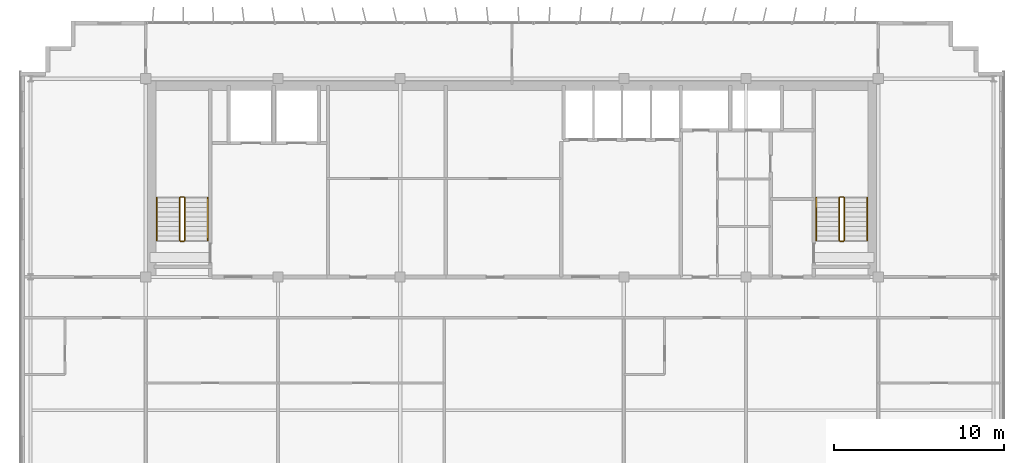
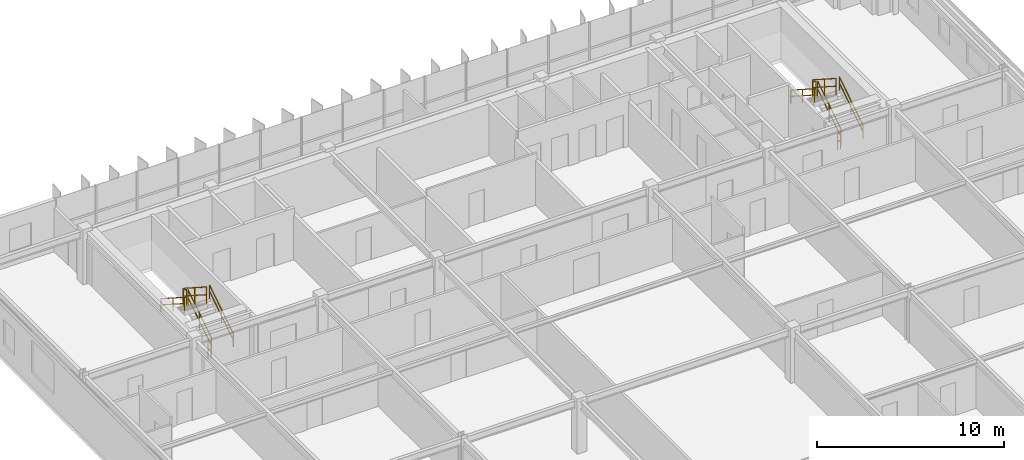
# One storey, part 22 of 22: 12 railings.
"""IFC4 building model written with IfcOpenShell, lengths in metres."""

from ifc_helpers import new_model, si_unit, direction, frame, origin, origin_2d, place, context, subcontext, project, spatial, rectangle, extrude, material, type_object, element, save


model = new_model("IFC4")

# Units and contexts
model_context = context("Model", 3, precision=1e-05, world=origin(), true_north=direction((0.0, 1.0)))
body_context = subcontext(model_context, "Body", "Model", "MODEL_VIEW")
ifc_project = project(units=[si_unit("LENGTHUNIT", "METRE"), si_unit("AREAUNIT", "SQUARE_METRE"), si_unit("VOLUMEUNIT", "CUBIC_METRE"), si_unit("PLANEANGLEUNIT", "RADIAN"), si_unit("MASSUNIT", "GRAM", prefix="KILO")], contexts=[model_context])

# Site, building, storey
site_placement = place(None, origin())
site = spatial("IfcSite", under=ifc_project, at=site_placement, CompositionType="ELEMENT")
building_placement = place(site_placement, origin())
building = spatial("IfcBuilding", under=site, at=building_placement, Name="Trelvane Seafront Commons", CompositionType="ELEMENT")
storey_placement = place(building_placement, frame((0.0, 0.0, 288.300048828125)))
storey = spatial("IfcBuildingStorey", under=building, at=storey_placement, Name="L75", CompositionType="ELEMENT", Elevation=288.300048828125)

# Railings
ifc_material = material(Name="Stainless steel balustrade", Category="steel")
railing_type_1 = type_object("IfcRailingType", Name="ARCH-SRL-GUARD", PredefinedType="GUARDRAIL", material=ifc_material)
railing_1_placement = place(storey_placement, frame((17.89990234375, 35.550048828125, 0.179931640625)))
element("IfcRailing", 1, at=railing_1_placement, inside=storey, type_object=railing_type_1, Name="L75 ST-1 stair guard 1", PredefinedType="GUARDRAIL", context=body_context, shape_type="SweptSolid", body=[
    extrude(rectangle(XDim=0.048095703125, YDim=0.048095703125, at=origin_2d()), frame((0.0, 0.0, 1.076171875), z_axis=(0.0, 0.841162588446, 0.540782303519), x_axis=(-1.0, 0.0, 0.0)), (0.0, 0.0, 1.0), 2.995849609375),
    extrude(rectangle(XDim=0.048095703125, YDim=0.048095703125, at=origin_2d()), frame((0.0, 0.0, 0.572021484375), z_axis=(0.0, 0.841162588446, 0.540782303519), x_axis=(-1.0, 0.0, 0.0)), (0.0, 0.0, 1.0), 2.995849609375),
    extrude(rectangle(XDim=0.0419921875, YDim=0.0419921875, at=origin_2d()), origin(), (0.0, 0.0, 1.0), 1.076171875),
    extrude(rectangle(XDim=0.0419921875, YDim=0.0419921875, at=origin_2d()), frame((0.0, 1.260009765625, 0.81005859375)), (0.0, 0.0, 1.0), 1.076171875),
    extrude(rectangle(XDim=0.0419921875, YDim=0.0419921875, at=origin_2d()), frame((0.0, 2.52001953125, 1.6201171875)), (0.0, 0.0, 1.0), 1.076171875),
])
railing_2_placement = place(storey_placement, frame((17.85009765625, 38.1201171875, 1.800048828125)))
element("IfcRailing", 2, at=railing_2_placement, inside=storey, type_object=railing_type_1, Name="L75 ST-1 stair guard 2", PredefinedType="GUARDRAIL", context=body_context, shape_type="SweptSolid", body=[
    extrude(rectangle(XDim=0.048095703125, YDim=0.048095703125, at=origin_2d()), frame((0.0, 0.0, 1.076171875), z_axis=(-1.0, 0.0, 0.0), x_axis=(0.0, -1.0, 0.0)), (0.0, 0.0, 1.0), 0.2001953125),
    extrude(rectangle(XDim=0.048095703125, YDim=0.048095703125, at=origin_2d()), frame((0.0, 0.0, 0.572021484375), z_axis=(-1.0, 0.0, 0.0), x_axis=(0.0, -1.0, 0.0)), (0.0, 0.0, 1.0), 0.2001953125),
    extrude(rectangle(XDim=0.0419921875, YDim=0.0419921875, at=origin_2d()), origin(), (0.0, 0.0, 1.0), 1.076171875),
    extrude(rectangle(XDim=0.0419921875, YDim=0.0419921875, at=origin_2d()), frame((-0.2001953125, 0.0, 0.0)), (0.0, 0.0, 1.0), 1.076171875),
])
railing_3_placement = place(storey_placement, frame((17.60009765625, 38.070068359375, 1.97998046875)))
element("IfcRailing", 3, at=railing_3_placement, inside=storey, type_object=railing_type_1, Name="L75 ST-1 stair guard 3", PredefinedType="GUARDRAIL", context=body_context, shape_type="SweptSolid", body=[
    extrude(rectangle(XDim=0.048095703125, YDim=0.048095703125, at=origin_2d()), frame((0.0, 0.0, 1.076171875), z_axis=(0.0, -0.841199657755, 0.540724639528), x_axis=(1.0, 0.0, 0.0)), (0.0, 0.0, 1.0), 2.995849609375),
    extrude(rectangle(XDim=0.048095703125, YDim=0.048095703125, at=origin_2d()), frame((0.0, 0.0, 0.572021484375), z_axis=(0.0, -0.841199657755, 0.540724639528), x_axis=(1.0, 0.0, 0.0)), (0.0, 0.0, 1.0), 2.995849609375),
    extrude(rectangle(XDim=0.0419921875, YDim=0.0419921875, at=origin_2d()), origin(), (0.0, 0.0, 1.0), 1.076171875),
    extrude(rectangle(XDim=0.0419921875, YDim=0.0419921875, at=origin_2d()), frame((0.0, -1.260009765625, 0.81005859375)), (0.0, 0.0, 1.0), 1.076171875),
    extrude(rectangle(XDim=0.0419921875, YDim=0.0419921875, at=origin_2d()), frame((0.0, -2.52001953125, 1.619873046875)), (0.0, 0.0, 1.0), 1.076171875),
])
railing_4_placement = place(storey_placement, frame((17.85009765625, 35.5, 0.0)))
element("IfcRailing", 4, at=railing_4_placement, inside=storey, type_object=railing_type_1, Name="L75 ST-1 stair guard 4", PredefinedType="GUARDRAIL", context=body_context, shape_type="SweptSolid", body=[
    extrude(rectangle(XDim=0.048095703125, YDim=0.048095703125, at=origin_2d()), frame((0.0, 0.0, 1.076171875), z_axis=(-1.0, 0.0, 0.0), x_axis=(0.0, -1.0, 0.0)), (0.0, 0.0, 1.0), 0.2001953125),
    extrude(rectangle(XDim=0.048095703125, YDim=0.048095703125, at=origin_2d()), frame((0.0, 0.0, 0.572021484375), z_axis=(-1.0, 0.0, 0.0), x_axis=(0.0, -1.0, 0.0)), (0.0, 0.0, 1.0), 0.2001953125),
    extrude(rectangle(XDim=0.0419921875, YDim=0.0419921875, at=origin_2d()), origin(), (0.0, 0.0, 1.0), 1.076171875),
    extrude(rectangle(XDim=0.0419921875, YDim=0.0419921875, at=origin_2d()), frame((-0.2001953125, 0.0, 0.0)), (0.0, 0.0, 1.0), 1.076171875),
])
railing_5_placement = place(storey_placement, frame((56.800048828125, 35.550048828125, 0.179931640625)))
element("IfcRailing", 5, at=railing_5_placement, inside=storey, type_object=railing_type_1, Name="L75 ST-2 stair guard 1", PredefinedType="GUARDRAIL", context=body_context, shape_type="SweptSolid", body=[
    extrude(rectangle(XDim=0.048095703125, YDim=0.048095703125, at=origin_2d()), frame((0.0, 0.0, 1.076171875), z_axis=(0.0, 0.841162588446, 0.540782303519), x_axis=(-1.0, 0.0, 0.0)), (0.0, 0.0, 1.0), 2.995849609375),
    extrude(rectangle(XDim=0.048095703125, YDim=0.048095703125, at=origin_2d()), frame((0.0, 0.0, 0.572021484375), z_axis=(0.0, 0.841162588446, 0.540782303519), x_axis=(-1.0, 0.0, 0.0)), (0.0, 0.0, 1.0), 2.995849609375),
    extrude(rectangle(XDim=0.0419921875, YDim=0.0419921875, at=origin_2d()), origin(), (0.0, 0.0, 1.0), 1.076171875),
    extrude(rectangle(XDim=0.0419921875, YDim=0.0419921875, at=origin_2d()), frame((0.0, 1.260009765625, 0.81005859375)), (0.0, 0.0, 1.0), 1.076171875),
    extrude(rectangle(XDim=0.0419921875, YDim=0.0419921875, at=origin_2d()), frame((0.0, 2.52001953125, 1.6201171875)), (0.0, 0.0, 1.0), 1.076171875),
])
railing_6_placement = place(storey_placement, frame((56.75, 38.1201171875, 1.800048828125)))
element("IfcRailing", 6, at=railing_6_placement, inside=storey, type_object=railing_type_1, Name="L75 ST-2 stair guard 2", PredefinedType="GUARDRAIL", context=body_context, shape_type="SweptSolid", body=[
    extrude(rectangle(XDim=0.048095703125, YDim=0.048095703125, at=origin_2d()), frame((0.0, 0.0, 1.076171875), z_axis=(-1.0, 0.0, 0.0), x_axis=(0.0, -1.0, 0.0)), (0.0, 0.0, 1.0), 0.199951171875),
    extrude(rectangle(XDim=0.048095703125, YDim=0.048095703125, at=origin_2d()), frame((0.0, 0.0, 0.572021484375), z_axis=(-1.0, 0.0, 0.0), x_axis=(0.0, -1.0, 0.0)), (0.0, 0.0, 1.0), 0.199951171875),
    extrude(rectangle(XDim=0.0419921875, YDim=0.0419921875, at=origin_2d()), origin(), (0.0, 0.0, 1.0), 1.076171875),
    extrude(rectangle(XDim=0.0419921875, YDim=0.0419921875, at=origin_2d()), frame((-0.199951171875, 0.0, 0.0)), (0.0, 0.0, 1.0), 1.076171875),
])
railing_7_placement = place(storey_placement, frame((56.5, 38.070068359375, 1.97998046875)))
element("IfcRailing", 7, at=railing_7_placement, inside=storey, type_object=railing_type_1, Name="L75 ST-2 stair guard 3", PredefinedType="GUARDRAIL", context=body_context, shape_type="SweptSolid", body=[
    extrude(rectangle(XDim=0.048095703125, YDim=0.048095703125, at=origin_2d()), frame((0.0, 0.0, 1.076171875), z_axis=(0.0, -0.841199657755, 0.540724639528), x_axis=(1.0, 0.0, 0.0)), (0.0, 0.0, 1.0), 2.995849609375),
    extrude(rectangle(XDim=0.048095703125, YDim=0.048095703125, at=origin_2d()), frame((0.0, 0.0, 0.572021484375), z_axis=(0.0, -0.841199657755, 0.540724639528), x_axis=(1.0, 0.0, 0.0)), (0.0, 0.0, 1.0), 2.995849609375),
    extrude(rectangle(XDim=0.0419921875, YDim=0.0419921875, at=origin_2d()), origin(), (0.0, 0.0, 1.0), 1.076171875),
    extrude(rectangle(XDim=0.0419921875, YDim=0.0419921875, at=origin_2d()), frame((0.0, -1.260009765625, 0.81005859375)), (0.0, 0.0, 1.0), 1.076171875),
    extrude(rectangle(XDim=0.0419921875, YDim=0.0419921875, at=origin_2d()), frame((0.0, -2.52001953125, 1.619873046875)), (0.0, 0.0, 1.0), 1.076171875),
])
railing_8_placement = place(storey_placement, frame((56.75, 35.5, 0.0)))
element("IfcRailing", 8, at=railing_8_placement, inside=storey, type_object=railing_type_1, Name="L75 ST-2 stair guard 4", PredefinedType="GUARDRAIL", context=body_context, shape_type="SweptSolid", body=[
    extrude(rectangle(XDim=0.048095703125, YDim=0.048095703125, at=origin_2d()), frame((0.0, 0.0, 1.076171875), z_axis=(-1.0, 0.0, 0.0), x_axis=(0.0, -1.0, 0.0)), (0.0, 0.0, 1.0), 0.199951171875),
    extrude(rectangle(XDim=0.048095703125, YDim=0.048095703125, at=origin_2d()), frame((0.0, 0.0, 0.572021484375), z_axis=(-1.0, 0.0, 0.0), x_axis=(0.0, -1.0, 0.0)), (0.0, 0.0, 1.0), 0.199951171875),
    extrude(rectangle(XDim=0.0419921875, YDim=0.0419921875, at=origin_2d()), origin(), (0.0, 0.0, 1.0), 1.076171875),
    extrude(rectangle(XDim=0.0419921875, YDim=0.0419921875, at=origin_2d()), frame((-0.199951171875, 0.0, 0.0)), (0.0, 0.0, 1.0), 1.076171875),
])
railing_type_2 = type_object("IfcRailingType", Name="ARCH-SRL-HAND", PredefinedType="HANDRAIL", material=ifc_material)
railing_9_placement = place(storey_placement, frame((19.25, 35.550048828125, 0.179931640625)))
element("IfcRailing", 9, at=railing_9_placement, inside=storey, type_object=railing_type_2, Name="L75 ST-1 stair handrail 1", PredefinedType="HANDRAIL", context=body_context, shape_type="SweptSolid", body=[
    extrude(rectangle(XDim=0.048095703125, YDim=0.048095703125, at=origin_2d()), frame((0.0, 0.0, 0.8759765625), z_axis=(0.0, 0.841162588446, 0.540782303519), x_axis=(-1.0, 0.0, 0.0)), (0.0, 0.0, 1.0), 2.995849609375),
    extrude(rectangle(XDim=0.048095703125, YDim=0.048095703125, at=origin_2d()), frame((0.0, 0.0, 0.468017578125), z_axis=(0.0, 0.841162588446, 0.540782303519), x_axis=(-1.0, 0.0, 0.0)), (0.0, 0.0, 1.0), 2.995849609375),
    extrude(rectangle(XDim=0.0419921875, YDim=0.0419921875, at=origin_2d()), origin(), (0.0, 0.0, 1.0), 0.8759765625),
    extrude(rectangle(XDim=0.0419921875, YDim=0.0419921875, at=origin_2d()), frame((0.0, 1.260009765625, 0.81005859375)), (0.0, 0.0, 1.0), 0.8759765625),
    extrude(rectangle(XDim=0.0419921875, YDim=0.0419921875, at=origin_2d()), frame((0.0, 2.52001953125, 1.6201171875)), (0.0, 0.0, 1.0), 0.8759765625),
])
railing_10_placement = place(storey_placement, frame((16.25, 38.070068359375, 1.97998046875)))
element("IfcRailing", 10, at=railing_10_placement, inside=storey, type_object=railing_type_2, Name="L75 ST-1 stair handrail 2", PredefinedType="HANDRAIL", context=body_context, shape_type="SweptSolid", body=[
    extrude(rectangle(XDim=0.048095703125, YDim=0.048095703125, at=origin_2d()), frame((0.0, 0.0, 0.8759765625), z_axis=(0.0, -0.841199657755, 0.540724639528), x_axis=(1.0, 0.0, 0.0)), (0.0, 0.0, 1.0), 2.995849609375),
    extrude(rectangle(XDim=0.048095703125, YDim=0.048095703125, at=origin_2d()), frame((0.0, 0.0, 0.468017578125), z_axis=(0.0, -0.841199657755, 0.540724639528), x_axis=(1.0, 0.0, 0.0)), (0.0, 0.0, 1.0), 2.995849609375),
    extrude(rectangle(XDim=0.0419921875, YDim=0.0419921875, at=origin_2d()), origin(), (0.0, 0.0, 1.0), 0.8759765625),
    extrude(rectangle(XDim=0.0419921875, YDim=0.0419921875, at=origin_2d()), frame((0.0, -1.260009765625, 0.81005859375)), (0.0, 0.0, 1.0), 0.8759765625),
    extrude(rectangle(XDim=0.0419921875, YDim=0.0419921875, at=origin_2d()), frame((0.0, -2.52001953125, 1.619873046875)), (0.0, 0.0, 1.0), 0.8759765625),
])
railing_11_placement = place(storey_placement, frame((58.14990234375, 35.550048828125, 0.179931640625)))
element("IfcRailing", 11, at=railing_11_placement, inside=storey, type_object=railing_type_2, Name="L75 ST-2 stair handrail 1", PredefinedType="HANDRAIL", context=body_context, shape_type="SweptSolid", body=[
    extrude(rectangle(XDim=0.048095703125, YDim=0.048095703125, at=origin_2d()), frame((0.0, 0.0, 0.8759765625), z_axis=(0.0, 0.841162588446, 0.540782303519), x_axis=(-1.0, 0.0, 0.0)), (0.0, 0.0, 1.0), 2.995849609375),
    extrude(rectangle(XDim=0.048095703125, YDim=0.048095703125, at=origin_2d()), frame((0.0, 0.0, 0.468017578125), z_axis=(0.0, 0.841162588446, 0.540782303519), x_axis=(-1.0, 0.0, 0.0)), (0.0, 0.0, 1.0), 2.995849609375),
    extrude(rectangle(XDim=0.0419921875, YDim=0.0419921875, at=origin_2d()), origin(), (0.0, 0.0, 1.0), 0.8759765625),
    extrude(rectangle(XDim=0.0419921875, YDim=0.0419921875, at=origin_2d()), frame((0.0, 1.260009765625, 0.81005859375)), (0.0, 0.0, 1.0), 0.8759765625),
    extrude(rectangle(XDim=0.0419921875, YDim=0.0419921875, at=origin_2d()), frame((0.0, 2.52001953125, 1.6201171875)), (0.0, 0.0, 1.0), 0.8759765625),
])
railing_12_placement = place(storey_placement, frame((55.14990234375, 38.070068359375, 1.97998046875)))
element("IfcRailing", 12, at=railing_12_placement, inside=storey, type_object=railing_type_2, Name="L75 ST-2 stair handrail 2", PredefinedType="HANDRAIL", context=body_context, shape_type="SweptSolid", body=[
    extrude(rectangle(XDim=0.048095703125, YDim=0.048095703125, at=origin_2d()), frame((0.0, 0.0, 0.8759765625), z_axis=(0.0, -0.841199657755, 0.540724639528), x_axis=(1.0, 0.0, 0.0)), (0.0, 0.0, 1.0), 2.995849609375),
    extrude(rectangle(XDim=0.048095703125, YDim=0.048095703125, at=origin_2d()), frame((0.0, 0.0, 0.468017578125), z_axis=(0.0, -0.841199657755, 0.540724639528), x_axis=(1.0, 0.0, 0.0)), (0.0, 0.0, 1.0), 2.995849609375),
    extrude(rectangle(XDim=0.0419921875, YDim=0.0419921875, at=origin_2d()), origin(), (0.0, 0.0, 1.0), 0.8759765625),
    extrude(rectangle(XDim=0.0419921875, YDim=0.0419921875, at=origin_2d()), frame((0.0, -1.260009765625, 0.81005859375)), (0.0, 0.0, 1.0), 0.8759765625),
    extrude(rectangle(XDim=0.0419921875, YDim=0.0419921875, at=origin_2d()), frame((0.0, -2.52001953125, 1.619873046875)), (0.0, 0.0, 1.0), 0.8759765625),
])

save(model, "model.ifc")
